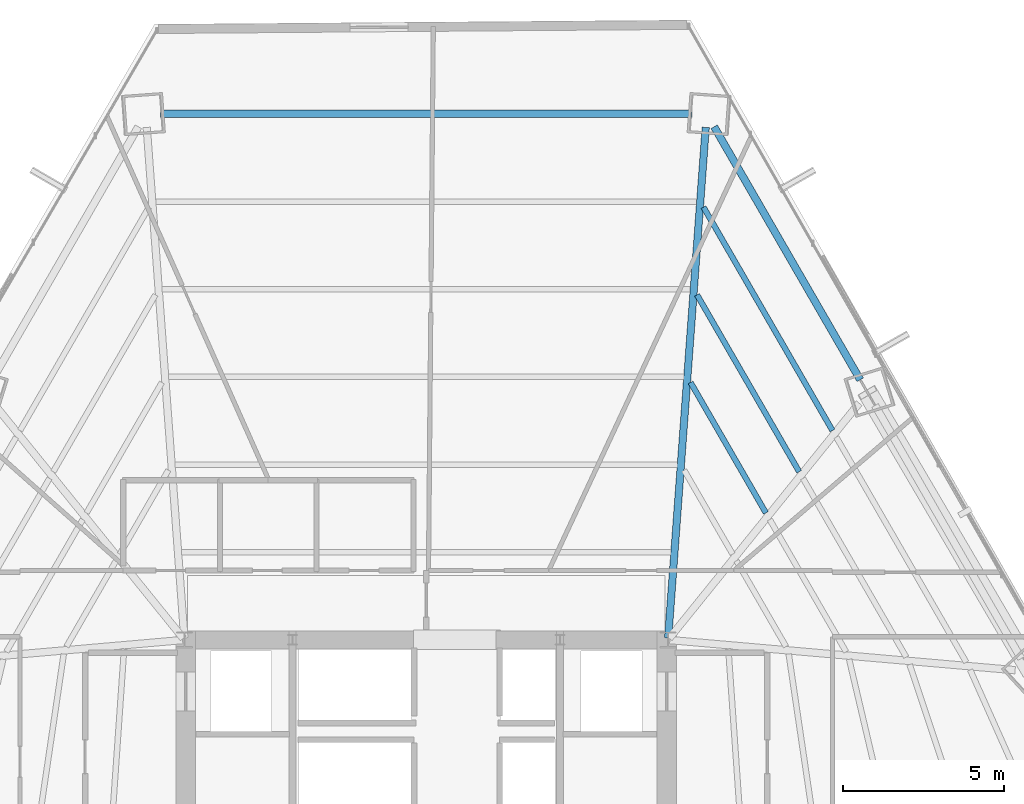
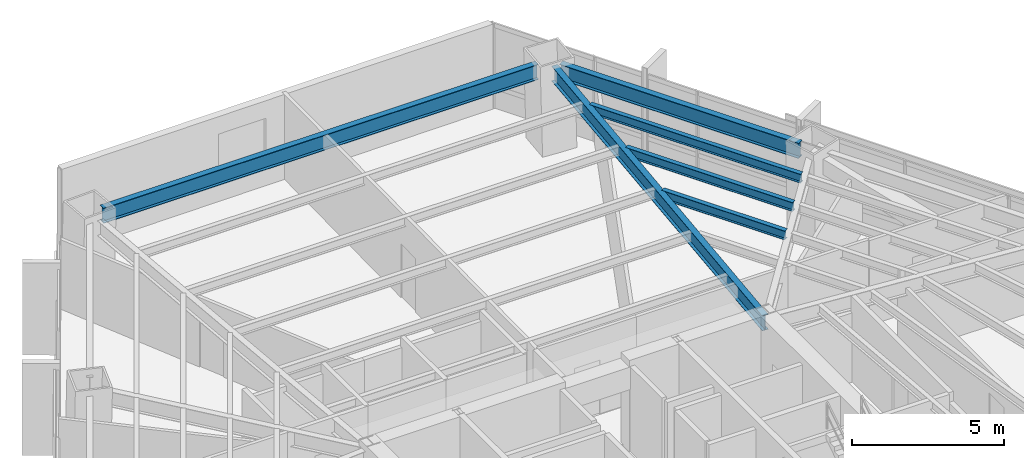
# One storey, part 26 of 34: 6 beams.
"""IFC4 building model written with IfcOpenShell, lengths in metres."""

from ifc_helpers import new_model, si_unit, direction, frame, origin, origin_2d, place, context, subcontext, project, spatial, i_section, extrude, source, transform, mapped, material, material_profile, profile_set, type_object, type_shapes, element, save


model = new_model("IFC4")

# Units and contexts
model_context = context("Model", 3, precision=1e-05, world=origin(), true_north=direction((0.0, 1.0)))
body_context = subcontext(model_context, "Body", "Model", "MODEL_VIEW")
ifc_project = project(units=[si_unit("LENGTHUNIT", "METRE"), si_unit("AREAUNIT", "SQUARE_METRE"), si_unit("VOLUMEUNIT", "CUBIC_METRE"), si_unit("PLANEANGLEUNIT", "RADIAN"), si_unit("MASSUNIT", "GRAM", prefix="KILO")], contexts=[model_context])

# Site, building, storey
site_placement = place(None, origin())
site = spatial("IfcSite", under=ifc_project, at=site_placement, CompositionType="ELEMENT")
building_placement = place(site_placement, origin())
building = spatial("IfcBuilding", under=site, at=building_placement, Name="Caelisora Broadcast Tower", CompositionType="ELEMENT")
storey_placement = place(building_placement, frame((0.0, 0.0, 49.5)))
storey = spatial("IfcBuildingStorey", under=building, at=storey_placement, Name="L12", CompositionType="ELEMENT", Elevation=49.5)

# Beams
ifc_material = material(Name="Steel Grade 350 (AS/NZS 3679.1)", Category="steel")
ifc_material_profile_1 = material_profile(ifc_material, i_section(OverallWidth=0.22802734375, OverallDepth=0.602294921875, WebThickness=0.010498046875, FlangeThickness=0.014892578125, at=origin_2d()), Name="Steel Grade 350 (AS/NZS 3679.1)")
ifc_profile_set_1 = profile_set([ifc_material_profile_1], Name="Steel Grade 350 (AS/NZS 3679.1)")
beam_type_1 = type_object("IfcBeamType", Name="PG04", PredefinedType="BEAM", material=ifc_profile_set_1)
shared_shape_1 = source(origin(), body_context, "Body", "SweptSolid", [
    extrude(i_section(OverallWidth=0.22802734375, OverallDepth=0.602294921875, WebThickness=0.010498046875, FlangeThickness=0.014892578125, at=origin_2d()), origin(), (0.0, 0.0, 1.0), 15.88134765625),
])
type_shapes(beam_type_1, [shared_shape_1])
beam_1_placement = place(storey_placement, frame((45.50439453125, 30.059814453125, 3.098876953125), z_axis=(0.073420935528, 0.997301040923, 0.0), x_axis=(-0.997301040923, 0.073420935528, 0.0)))
element("IfcBeam", 1, at=beam_1_placement, inside=storey, type_object=beam_type_1, Name="L12 beam PG04", PredefinedType="BEAM", context=body_context, shape_type="MappedRepresentation", body=[
    mapped(shared_shape_1, transform((0.0, 0.0, 0.0), scale=1.0)),
])
ifc_material_profile_2 = material_profile(ifc_material, i_section(OverallWidth=0.22900390625, OverallDepth=0.611572265625, WebThickness=0.011962890625, FlangeThickness=0.01953125, at=origin_2d()), Name="Steel Grade 350 (AS/NZS 3679.1)")
ifc_profile_set_2 = profile_set([ifc_material_profile_2], Name="Steel Grade 350 (AS/NZS 3679.1)")
beam_type_2 = type_object("IfcBeamType", Name="PG03", PredefinedType="BEAM", material=ifc_profile_set_2)
shared_shape_2 = source(origin(), body_context, "Body", "SweptSolid", [
    extrude(i_section(OverallWidth=0.22900390625, OverallDepth=0.611572265625, WebThickness=0.011962890625, FlangeThickness=0.01953125, at=origin_2d()), origin(), (0.0, 0.0, 1.0), 16.482421875),
])
beam_2_placement = place(storey_placement, frame((46.2412109375, 46.31689453125, 3.09423828125), z_axis=(-1.0, 0.0, 0.0), x_axis=(0.0, -1.0, 0.0)))
element("IfcBeam", 2, at=beam_2_placement, inside=storey, type_object=beam_type_2, Name="L12 beam PG03", PredefinedType="BEAM", context=body_context, shape_type="MappedRepresentation", body=[
    mapped(shared_shape_2, transform((0.0, 0.0, 0.0), scale=1.0)),
])
shared_shape_3 = source(origin(), body_context, "Body", "SweptSolid", [
    extrude(i_section(OverallWidth=0.22900390625, OverallDepth=0.611572265625, WebThickness=0.011962890625, FlangeThickness=0.01953125, at=origin_2d()), origin(), (0.0, 0.0, 1.0), 9.064453125),
])
type_shapes(beam_type_2, [shared_shape_2, shared_shape_3])
beam_3_placement = place(storey_placement, frame((51.46337890625, 38.068603515625, 3.09423828125), z_axis=(-0.499997564742, 0.866026809777, 0.0), x_axis=(-0.866026809777, -0.499997564742, 0.0)))
element("IfcBeam", 3, at=beam_3_placement, inside=storey, type_object=beam_type_2, Name="L12 beam PG03", PredefinedType="BEAM", context=body_context, shape_type="MappedRepresentation", body=[
    mapped(shared_shape_3, transform((0.0, 0.0, 0.0), scale=1.0)),
])
ifc_material_profile_3 = material_profile(ifc_material, i_section(OverallWidth=0.172119140625, OverallDepth=0.358642578125, WebThickness=0.008056640625, FlangeThickness=0.012939453125, at=origin_2d()), Name="Steel Grade 350 (AS/NZS 3679.1)")
ifc_profile_set_3 = profile_set([ifc_material_profile_3], Name="Steel Grade 350 (AS/NZS 3679.1)")
beam_type_3 = type_object("IfcBeamType", Name="SB02", PredefinedType="JOIST", material=ifc_profile_set_3)
shared_shape_4 = source(origin(), body_context, "Body", "SweptSolid", [
    extrude(i_section(OverallWidth=0.172119140625, OverallDepth=0.358642578125, WebThickness=0.008056640625, FlangeThickness=0.012939453125, at=origin_2d()), origin(), (0.0, 0.0, 1.0), 4.67333984375),
])
beam_4_placement = place(storey_placement, frame((48.537109375, 33.9384765625, 3.220703125), z_axis=(-0.50001036695, 0.86601941834, 0.0), x_axis=(-0.86601941834, -0.50001036695, 0.0)))
element("IfcBeam", 4, at=beam_4_placement, inside=storey, type_object=beam_type_3, Name="L12 beam SB02", PredefinedType="JOIST", context=body_context, shape_type="MappedRepresentation", body=[
    mapped(shared_shape_4, transform((0.0, 0.0, 0.0), scale=1.0)),
])
shared_shape_5 = source(origin(), body_context, "Body", "SweptSolid", [
    extrude(i_section(OverallWidth=0.172119140625, OverallDepth=0.358642578125, WebThickness=0.008056640625, FlangeThickness=0.012939453125, at=origin_2d()), origin(), (0.0, 0.0, 1.0), 6.33740234375),
])
beam_5_placement = place(storey_placement, frame((49.5693359375, 35.216796875, 3.220703125), z_axis=(-0.500004794763, 0.866022635509, 0.0), x_axis=(-0.866022635509, -0.500004794763, 0.0)))
element("IfcBeam", 5, at=beam_5_placement, inside=storey, type_object=beam_type_3, Name="L12 beam SB02", PredefinedType="JOIST", context=body_context, shape_type="MappedRepresentation", body=[
    mapped(shared_shape_5, transform((0.0, 0.0, 0.0), scale=1.0)),
])
shared_shape_6 = source(origin(), body_context, "Body", "SweptSolid", [
    extrude(i_section(OverallWidth=0.172119140625, OverallDepth=0.358642578125, WebThickness=0.008056640625, FlangeThickness=0.012939453125, at=origin_2d()), origin(), (0.0, 0.0, 1.0), 8.00146484375),
])
type_shapes(beam_type_3, [shared_shape_4, shared_shape_5, shared_shape_6])
beam_6_placement = place(storey_placement, frame((50.6015625, 36.4951171875, 3.220703125), z_axis=(-0.500001540316, 0.866024514481, 0.0), x_axis=(-0.866024514481, -0.500001540316, 0.0)))
element("IfcBeam", 6, at=beam_6_placement, inside=storey, type_object=beam_type_3, Name="L12 beam SB02", PredefinedType="JOIST", context=body_context, shape_type="MappedRepresentation", body=[
    mapped(shared_shape_6, transform((0.0, 0.0, 0.0), scale=1.0)),
])

save(model, "model.ifc")
